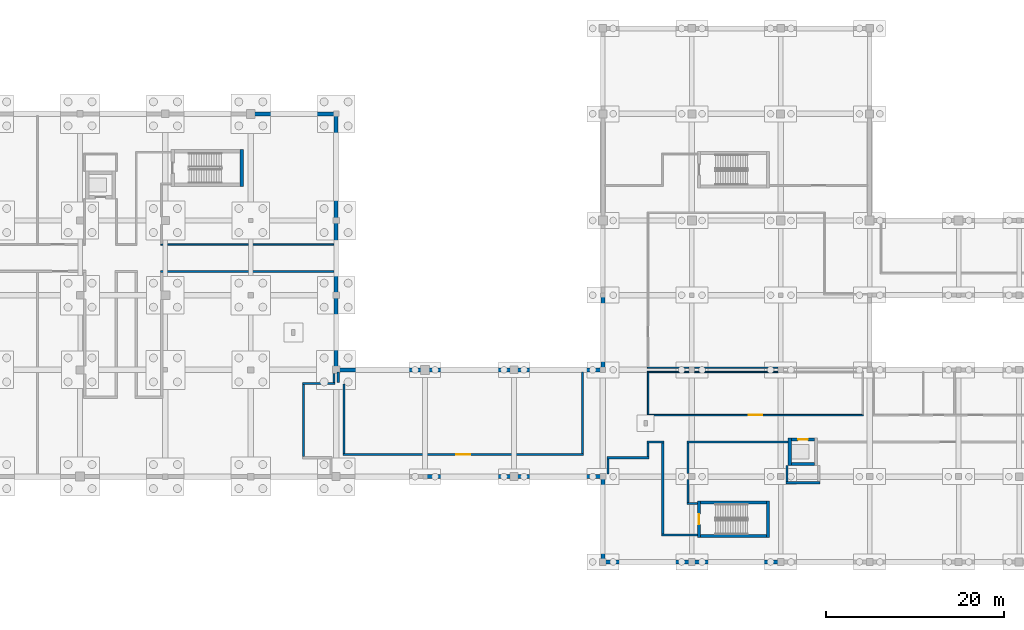
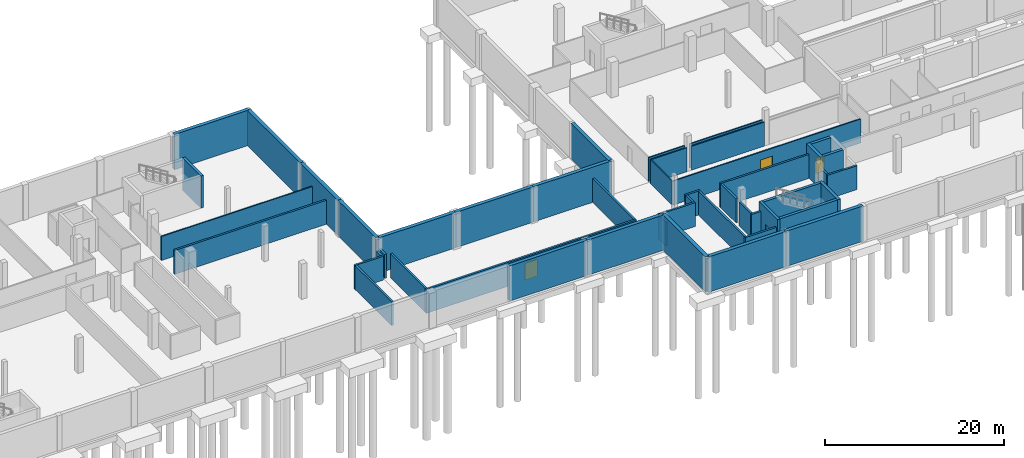
# One storey, part 15 of 28: 48 walls, 4 doors, 4 openings.
"""IFC4 building model written with IfcOpenShell, lengths in metres."""

from ifc_helpers import new_model, si_unit, direction, frame, frame_2d, origin, place, context, subcontext, project, spatial, rectangle, extrude, material, layer, layer_set, type_object, element, fill, save


model = new_model("IFC4")

# Units and contexts
model_context = context("Model", 3, precision=1e-05, world=origin(), true_north=direction((0.0, 1.0)))
body_context = subcontext(model_context, "Body", "Model", "MODEL_VIEW")
ifc_project = project(units=[si_unit("LENGTHUNIT", "METRE"), si_unit("AREAUNIT", "SQUARE_METRE"), si_unit("VOLUMEUNIT", "CUBIC_METRE"), si_unit("PLANEANGLEUNIT", "RADIAN"), si_unit("MASSUNIT", "GRAM", prefix="KILO")], contexts=[model_context])

# Site, building, storey
site_placement = place(None, origin())
site = spatial("IfcSite", under=ifc_project, at=site_placement, CompositionType="ELEMENT")
building_placement = place(site_placement, origin())
building = spatial("IfcBuilding", under=site, at=building_placement, Name="Zereglee Splitstone Museum", CompositionType="ELEMENT")
storey_placement = place(building_placement, frame((0.0, 0.0, -4.800048828125)))
storey = spatial("IfcBuildingStorey", under=building, at=storey_placement, Name="B1", CompositionType="ELEMENT", Elevation=-4.800048828125)

# Walls
ifc_material_1 = material(Name="Concrete C40/50", Category="concrete")
ifc_layer_1 = layer(ifc_material_1, 0.449951171875)
ifc_layer_set_1 = layer_set([ifc_layer_1], Name="Concrete C40/50")
wall_type_1 = type_object("IfcWallType", Name="ESW-01", PredefinedType="SHEAR", material=ifc_layer_set_1)
for number, where, z_axis, x_axis, name in (
    (1, (175.199951171875, 0.0, 0.0), (0.0, 0.0, 1.0), (1.0, 0.0, 0.0), "Basement Perimeter Retaining Wall B1-001"),
    (2, (185.199951171875, 0.0, 0.0), (0.0, 0.0, 1.0), (1.0, 0.0, 0.0), "Basement Perimeter Retaining Wall B1-002"),
):
    element("IfcWall", number, at=place(storey_placement, frame(where, z_axis=z_axis, x_axis=x_axis)), inside=storey, type_object=wall_type_1, Name=name, PredefinedType="SHEAR", context=body_context, shape_type="SweptSolid", body=[
        extrude(rectangle(XDim=10.0, YDim=0.449951171875, at=frame_2d((5.0, 0.0))), origin(), (0.0, 0.0, 1.0), 4.800048828125),
    ])
wall_1_placement = place(storey_placement, frame((175.199951171875, 30.0, 0.0), z_axis=(0.0, 0.0, 1.0), x_axis=(0.0, -1.0, 0.0)))
element("IfcWall", 3, at=wall_1_placement, inside=storey, type_object=wall_type_1, Name="Basement Perimeter Retaining Wall B1-058", PredefinedType="SHEAR", context=body_context, shape_type="SweptSolid", body=[
    extrude(rectangle(XDim=8.39990234375, YDim=0.449951171875, at=frame_2d((4.199951171875, 0.0))), origin(), (0.0, 0.0, 1.0), 4.800048828125),
])
for number, where, z_axis, x_axis, name in (
    (4, (175.199951171875, 21.60009765625, 0.0), (0.0, 0.0, 1.0), (-1.0, 0.0, 0.0), "Basement Perimeter Retaining Wall B1-059"),
    (5, (165.199951171875, 21.60009765625, 0.0), (0.0, 0.0, 1.0), (-1.0, 0.0, 0.0), "Basement Perimeter Retaining Wall B1-060"),
    (6, (155.199951171875, 21.60009765625, 0.0), (0.0, 0.0, 1.0), (-1.0, 0.0, 0.0), "Basement Perimeter Retaining Wall B1-061"),
):
    element("IfcWall", number, at=place(storey_placement, frame(where, z_axis=z_axis, x_axis=x_axis)), inside=storey, type_object=wall_type_1, Name=name, PredefinedType="SHEAR", context=body_context, shape_type="SweptSolid", body=[
        extrude(rectangle(XDim=10.0, YDim=0.449951171875, at=frame_2d((5.0, 0.0))), origin(), (0.0, 0.0, 1.0), 4.800048828125),
    ])
for number, where, z_axis, x_axis, name in (
    (7, (145.199951171875, 21.60009765625, 0.0), (0.0, 0.0, 1.0), (0.0, 1.0, 0.0), "Basement Perimeter Retaining Wall B1-062"),
    (8, (145.199951171875, 30.0, 0.0), (0.0, 0.0, 1.0), (0.0, 1.0, 0.0), "Basement Perimeter Retaining Wall B1-063"),
):
    element("IfcWall", number, at=place(storey_placement, frame(where, z_axis=z_axis, x_axis=x_axis)), inside=storey, type_object=wall_type_1, Name=name, PredefinedType="SHEAR", context=body_context, shape_type="SweptSolid", body=[
        extrude(rectangle(XDim=8.39990234375, YDim=0.449951171875, at=frame_2d((4.199951171875, 0.0))), origin(), (0.0, 0.0, 1.0), 4.800048828125),
    ])
wall_2_placement = place(storey_placement, frame((145.199951171875, 38.39990234375, 0.0), z_axis=(0.0, 0.0, 1.0), x_axis=(0.0, 1.0, 0.0)))
element("IfcWall", 9, at=wall_2_placement, inside=storey, type_object=wall_type_1, Name="Basement Perimeter Retaining Wall B1-064", PredefinedType="SHEAR", context=body_context, shape_type="SweptSolid", body=[
    extrude(rectangle(XDim=12.0, YDim=0.449951171875, at=frame_2d((6.0, 0.0))), origin(), (0.0, 0.0, 1.0), 4.800048828125),
])
wall_3_placement = place(storey_placement, frame((145.199951171875, 50.39990234375, 0.0), z_axis=(0.0, 0.0, 1.0), x_axis=(-1.0, 0.0, 0.0)))
element("IfcWall", 10, at=wall_3_placement, inside=storey, type_object=wall_type_1, Name="Basement Perimeter Retaining Wall B1-065", PredefinedType="SHEAR", context=body_context, shape_type="SweptSolid", body=[
    extrude(rectangle(XDim=9.599853515625, YDim=0.449951171875, at=frame_2d((4.7998046875, 0.0))), origin(), (0.0, 0.0, 1.0), 4.800048828125),
])
for number, where, z_axis, x_axis, name in (
    (11, (155.199951171875, 9.60009765625, 0.0), (0.0, 0.0, 1.0), (1.0, 0.0, 0.0), "Basement Perimeter Retaining Wall B1-106"),
    (12, (165.199951171875, 9.60009765625, 0.0), (0.0, 0.0, 1.0), (1.0, 0.0, 0.0), "Basement Perimeter Retaining Wall B1-107"),
):
    element("IfcWall", number, at=place(storey_placement, frame(where, z_axis=z_axis, x_axis=x_axis)), inside=storey, type_object=wall_type_1, Name=name, PredefinedType="SHEAR", context=body_context, shape_type="SweptSolid", body=[
        extrude(rectangle(XDim=10.0, YDim=0.449951171875, at=frame_2d((5.0, 0.0))), origin(), (0.0, 0.0, 1.0), 4.800048828125),
    ])
wall_4_placement = place(storey_placement, frame((175.199951171875, 9.60009765625, 0.0), z_axis=(0.0, 0.0, 1.0), x_axis=(0.0, -1.0, 0.0)))
element("IfcWall", 13, at=wall_4_placement, inside=storey, type_object=wall_type_1, Name="Basement Perimeter Retaining Wall B1-108", PredefinedType="SHEAR", context=body_context, shape_type="SweptSolid", body=[
    extrude(rectangle(XDim=9.60009765625, YDim=0.449951171875, at=frame_2d((4.800048828125, 0.0))), origin(), (0.0, 0.0, 1.0), 4.800048828125),
])
ifc_material_2 = material(Name="Concrete C45/55", Category="concrete")
ifc_layer_2 = layer(ifc_material_2, 0.360107421875)
ifc_layer_set_2 = layer_set([ifc_layer_2], Name="Concrete C45/55")
wall_type_2 = type_object("IfcWallType", Name="CSW-02", PredefinedType="SHEAR", material=ifc_layer_set_2)
wall_5_placement = place(storey_placement, frame((134.580078125, 42.239990234375, 0.0), z_axis=(0.0, 0.0, 1.0), x_axis=(0.0, 1.0, 0.0)))
element("IfcWall", 14, at=wall_5_placement, inside=storey, type_object=wall_type_2, Name="Stair Core Shear Wall ST-03 B1 East", PredefinedType="SHEAR", context=body_context, shape_type="SweptSolid", body=[
    extrude(rectangle(XDim=4.1201171875, YDim=0.360107421875, at=frame_2d((2.06005859375, 0.0))), origin(), (0.0, 0.0, 1.0), 4.380126953125),
])

# Wall, opening, door
wall_6_placement = place(storey_placement, frame((186.02001953125, 2.739990234375, 0.0), z_axis=(0.0, 0.0, 1.0), x_axis=(0.0, 1.0, 0.0)))
wall_6 = element("IfcWall", 15, at=wall_6_placement, inside=storey, type_object=wall_type_2, Name="Stair Core Shear Wall ST-04 B1 West", PredefinedType="SHEAR", context=body_context, shape_type="SweptSolid", body=[
    extrude(rectangle(XDim=4.1201171875, YDim=0.360107421875, at=frame_2d((2.06005859375, 0.0))), origin(), (0.0, 0.0, 1.0), 4.380126953125),
])
opening_1_placement = place(wall_6_placement, frame((1.485107421875, 0.0, 0.0)))
opening_1 = element("IfcOpeningElement", 16, at=opening_1_placement, cuts=wall_6, Name="Opening ID-03", PredefinedType="OPENING", context=body_context, shape_type="SweptSolid", body=[
    extrude(rectangle(XDim=1.14990234375, YDim=2.14990234375, at=frame_2d((0.574951171875, 1.074951171875))), frame((0.0, 0.19482421875, 0.0), z_axis=(0.0, -1.0, 0.0), x_axis=(1.0, 0.0, 0.0)), (0.0, 0.0, 1.0), 0.389892578125),
])
ifc_material_3 = material(Name="Fire-rated steel and Siberian larch leaf", Category="steel")
door_type_1 = type_object("IfcDoorType", Name="ID-03", OperationType="NOTDEFINED", PredefinedType="DOOR", material=ifc_material_3)
door_1_placement = place(opening_1_placement, origin())
door_1 = element("IfcDoor", 17, at=door_1_placement, inside=storey, type_object=door_type_1, Name="Protected Stair Fire Door ST-04 B1", OperationType="SINGLE_SWING_LEFT", OverallHeight=2.14990234375, OverallWidth=1.14990234375, PredefinedType="DOOR", context=body_context, shape_type="SweptSolid", body=[
    extrude(rectangle(XDim=1.14990234375, YDim=2.14990234375, at=frame_2d((0.574951171875, 1.074951171875))), frame((0.0, 0.02490234375, 0.0), z_axis=(0.0, -1.0, 0.0), x_axis=(1.0, 0.0, 0.0)), (0.0, 0.0, 1.0), 0.050048828125),
])
fill(opening_1, door_1)

# Walls
wall_7_placement = place(storey_placement, frame((193.780029296875, 2.739990234375, 0.0), z_axis=(0.0, 0.0, 1.0), x_axis=(0.0, 1.0, 0.0)))
element("IfcWall", 18, at=wall_7_placement, inside=storey, type_object=wall_type_2, Name="Stair Core Shear Wall ST-04 B1 East", PredefinedType="SHEAR", context=body_context, shape_type="SweptSolid", body=[
    extrude(rectangle(XDim=4.1201171875, YDim=0.360107421875, at=frame_2d((2.06005859375, 0.0))), origin(), (0.0, 0.0, 1.0), 4.380126953125),
])
for number, where, z_axis, x_axis, name in (
    (19, (186.199951171875, 6.679931640625, 0.0), (0.0, 0.0, 1.0), (1.0, 0.0, 0.0), "Stair Core Shear Wall ST-04 B1 North"),
    (20, (186.199951171875, 2.919921875, 0.0), (0.0, 0.0, 1.0), (1.0, 0.0, 0.0), "Stair Core Shear Wall ST-04 B1 South"),
):
    element("IfcWall", number, at=place(storey_placement, frame(where, z_axis=z_axis, x_axis=x_axis)), inside=storey, type_object=wall_type_2, Name=name, PredefinedType="SHEAR", context=body_context, shape_type="SweptSolid", body=[
        extrude(rectangle(XDim=7.400146484375, YDim=0.360107421875, at=frame_2d((3.7001953125, 0.0))), origin(), (0.0, 0.0, 1.0), 4.380126953125),
    ])

# Wall, opening, door
wall_8_placement = place(storey_placement, frame((196.39990234375, 13.780029296875, 0.0), z_axis=(0.0, 0.0, 1.0), x_axis=(1.0, 0.0, 0.0)))
wall_8 = element("IfcWall", 21, at=wall_8_placement, inside=storey, type_object=wall_type_2, Name="Lift Shaft Wall PL-03 B1 North", PredefinedType="SHEAR", context=body_context, shape_type="SweptSolid", body=[
    extrude(rectangle(XDim=2.60009765625, YDim=0.360107421875, at=frame_2d((1.300048828125, 0.0))), origin(), (0.0, 0.0, 1.0), 4.380126953125),
])
opening_2_placement = place(wall_8_placement, frame((0.75, 0.0, 0.0)))
opening_2 = element("IfcOpeningElement", 22, at=opening_2_placement, cuts=wall_8, Name="Opening LD-01", PredefinedType="OPENING", context=body_context, shape_type="SweptSolid", body=[
    extrude(rectangle(XDim=1.10009765625, YDim=2.14990234375, at=frame_2d((0.550048828125, 1.074951171875))), frame((0.0, 0.19482421875, 0.0), z_axis=(0.0, -1.0, 0.0), x_axis=(1.0, 0.0, 0.0)), (0.0, 0.0, 1.0), 0.389892578125),
])
door_type_2 = type_object("IfcDoorType", Name="LD-01", OperationType="DOUBLE_DOOR_SLIDING", PredefinedType="DOOR", material=ifc_material_3)
door_2_placement = place(opening_2_placement, origin())
door_2 = element("IfcDoor", 23, at=door_2_placement, inside=storey, type_object=door_type_2, Name="Lift Landing Sliding Door PL-03 B1", OperationType="DOUBLE_DOOR_SLIDING", OverallHeight=2.14990234375, OverallWidth=1.10009765625, PredefinedType="DOOR", context=body_context, shape_type="SweptSolid", body=[
    extrude(rectangle(XDim=1.10009765625, YDim=2.14990234375, at=frame_2d((0.550048828125, 1.074951171875))), frame((0.0, 0.02490234375, 0.0), z_axis=(0.0, -1.0, 0.0), x_axis=(1.0, 0.0, 0.0)), (0.0, 0.0, 1.0), 0.050048828125),
])
fill(opening_2, door_2)

# Walls
wall_9_placement = place(storey_placement, frame((196.39990234375, 11.02001953125, 0.0), z_axis=(0.0, 0.0, 1.0), x_axis=(1.0, 0.0, 0.0)))
element("IfcWall", 24, at=wall_9_placement, inside=storey, type_object=wall_type_2, Name="Lift Shaft Wall PL-03 B1 South", PredefinedType="SHEAR", context=body_context, shape_type="SweptSolid", body=[
    extrude(rectangle(XDim=2.60009765625, YDim=0.360107421875, at=frame_2d((1.300048828125, 0.0))), origin(), (0.0, 0.0, 1.0), 4.380126953125),
])
wall_10_placement = place(storey_placement, frame((196.219970703125, 10.840087890625, 0.0), z_axis=(0.0, 0.0, 1.0), x_axis=(0.0, 1.0, 0.0)))
element("IfcWall", 25, at=wall_10_placement, inside=storey, type_object=wall_type_2, Name="Lift Shaft Wall PL-03 B1 West", PredefinedType="SHEAR", context=body_context, shape_type="SweptSolid", body=[
    extrude(rectangle(XDim=3.119873046875, YDim=0.360107421875, at=frame_2d((1.56005859375, 0.0))), origin(), (0.0, 0.0, 1.0), 4.380126953125),
])
ifc_layer_3 = layer(ifc_material_1, 0.25)
ifc_layer_set_3 = layer_set([ifc_layer_3], Name="Concrete C40/50")
wall_type_3 = type_object("IfcWallType", Name="IW-03", PredefinedType="PARTITIONING", material=ifc_layer_set_3)
wall_11_placement = place(storey_placement, frame((181.794921875, 3.02001953125, 0.0), z_axis=(0.0, 0.0, 1.0), x_axis=(1.0, 0.0, 0.0)))
element("IfcWall", 26, at=wall_11_placement, inside=storey, type_object=wall_type_3, Name="Interior Partition B1-0002 (Botanical Herbarium Collection Archive)", PredefinedType="PARTITIONING", context=body_context, shape_type="SweptSolid", body=[
    extrude(rectangle(XDim=4.045166015625, YDim=0.25, at=frame_2d((2.0224609375, 0.0))), origin(), (0.0, 0.0, 1.0), 3.260009765625),
])
wall_12_placement = place(storey_placement, frame((184.655029296875, 6.580078125, 0.0), z_axis=(0.0, 0.0, 1.0), x_axis=(1.0, 0.0, 0.0)))
element("IfcWall", 27, at=wall_12_placement, inside=storey, type_object=wall_type_3, Name="Interior Partition B1-0004 (Botanical Herbarium Collection Archive)", PredefinedType="PARTITIONING", context=body_context, shape_type="SweptSolid", body=[
    extrude(rectangle(XDim=1.18505859375, YDim=0.25, at=frame_2d((0.592529296875, 0.0))), origin(), (0.0, 0.0, 1.0), 3.260009765625),
])
wall_13_placement = place(storey_placement, frame((195.794921875, 8.919921875, 0.0), z_axis=(0.0, 0.0, 1.0), x_axis=(1.0, 0.0, 0.0)))
element("IfcWall", 28, at=wall_13_placement, inside=storey, type_object=wall_type_3, Name="Interior Partition B1-0007 (Botanical Herbarium Collection Archive)", PredefinedType="PARTITIONING", context=body_context, shape_type="SweptSolid", body=[
    extrude(rectangle(XDim=3.81005859375, YDim=0.25, at=frame_2d((1.905029296875, 0.0))), origin(), (0.0, 0.0, 1.0), 3.260009765625),
])
wall_14_placement = place(storey_placement, frame((175.655029296875, 11.719970703125, 0.0), z_axis=(0.0, 0.0, 1.0), x_axis=(1.0, 0.0, 0.0)))
element("IfcWall", 29, at=wall_14_placement, inside=storey, type_object=wall_type_3, Name="Interior Partition B1-0009 (Botanical Herbarium Collection Archive)", PredefinedType="PARTITIONING", context=body_context, shape_type="SweptSolid", body=[
    extrude(rectangle(XDim=4.75, YDim=0.25, at=frame_2d((2.375, 0.0))), origin(), (0.0, 0.0, 1.0), 3.260009765625),
])

# Wall, opening, door
wall_15_placement = place(storey_placement, frame((145.955078125, 12.080078125, 0.0), z_axis=(0.0, 0.0, 1.0), x_axis=(1.0, 0.0, 0.0)))
wall_15 = element("IfcWall", 30, at=wall_15_placement, inside=storey, type_object=wall_type_3, Name="Interior Partition B1-0010 (Archive Crate Acclimatisation Room)", PredefinedType="PARTITIONING", context=body_context, shape_type="SweptSolid", body=[
    extrude(rectangle(XDim=27.08984375, YDim=0.25, at=frame_2d((13.544921875, 0.0))), origin(), (0.0, 0.0, 1.0), 3.260009765625),
])
opening_3_placement = place(wall_15_placement, frame((12.7451171875, 0.0, 0.0)))
opening_3 = element("IfcOpeningElement", 31, at=opening_3_placement, cuts=wall_15, Name="Opening ID-05", PredefinedType="OPENING", context=body_context, shape_type="SweptSolid", body=[
    extrude(rectangle(XDim=1.60009765625, YDim=2.300048828125, at=frame_2d((0.800048828125, 1.14990234375))), frame((0.0, 0.139892578125, 0.0), z_axis=(0.0, -1.0, 0.0), x_axis=(1.0, 0.0, 0.0)), (0.0, 0.0, 1.0), 0.27978515625),
])
door_type_3 = type_object("IfcDoorType", Name="ID-05", OperationType="NOTDEFINED", PredefinedType="DOOR", material=ifc_material_3)
door_3_placement = place(opening_3_placement, origin())
door_3 = element("IfcDoor", 32, at=door_3_placement, inside=storey, type_object=door_type_3, Name="Interior Door B1-0011 (Archive Crate Acclimatisation Room)", OperationType="DOUBLE_DOOR_SINGLE_SWING", OverallHeight=2.300048828125, OverallWidth=1.60009765625, PredefinedType="DOOR", context=body_context, shape_type="SweptSolid", body=[
    extrude(rectangle(XDim=1.60009765625, YDim=2.300048828125, at=frame_2d((0.800048828125, 1.14990234375))), frame((0.0, 0.02490234375, 0.0), z_axis=(0.0, -1.0, 0.0), x_axis=(1.0, 0.0, 0.0)), (0.0, 0.0, 1.0), 0.050048828125),
])
fill(opening_3, door_3)

# Walls
wall_16_placement = place(storey_placement, frame((180.155029296875, 13.47998046875, 0.0), z_axis=(0.0, 0.0, 1.0), x_axis=(1.0, 0.0, 0.0)))
element("IfcWall", 33, at=wall_16_placement, inside=storey, type_object=wall_type_3, Name="Interior Partition B1-0012 (Botanical Herbarium Collection Archive)", PredefinedType="PARTITIONING", context=body_context, shape_type="SweptSolid", body=[
    extrude(rectangle(XDim=1.889892578125, YDim=0.25, at=frame_2d((0.94482421875, 0.0))), origin(), (0.0, 0.0, 1.0), 3.260009765625),
])
wall_17_placement = place(storey_placement, frame((184.655029296875, 13.47998046875, 0.0), z_axis=(0.0, 0.0, 1.0), x_axis=(1.0, 0.0, 0.0)))
element("IfcWall", 34, at=wall_17_placement, inside=storey, type_object=wall_type_3, Name="Interior Partition B1-0013 (Botanical Herbarium Collection Archive)", PredefinedType="PARTITIONING", context=body_context, shape_type="SweptSolid", body=[
    extrude(rectangle(XDim=11.385009765625, YDim=0.25, at=frame_2d((5.6923828125, 0.0))), origin(), (0.0, 0.0, 1.0), 3.260009765625),
])
wall_18_placement = place(storey_placement, frame((141.39501953125, 20.080078125, 0.0), z_axis=(0.0, 0.0, 1.0), x_axis=(1.0, 0.0, 0.0)))
element("IfcWall", 35, at=wall_18_placement, inside=storey, type_object=wall_type_3, Name="Interior Partition B1-0032 (Microclimate Specimen Vault)", PredefinedType="PARTITIONING", context=body_context, shape_type="SweptSolid", body=[
    extrude(rectangle(XDim=3.68994140625, YDim=0.25, at=frame_2d((1.844970703125, 0.0))), origin(), (0.0, 0.0, 1.0), 3.260009765625),
])
wall_19_placement = place(storey_placement, frame((125.455078125, 32.679931640625, 0.0), z_axis=(0.0, 0.0, 1.0), x_axis=(1.0, 0.0, 0.0)))
element("IfcWall", 36, at=wall_19_placement, inside=storey, type_object=wall_type_3, Name="Interior Partition B1-0051 (Microclimate Specimen Vault)", PredefinedType="PARTITIONING", context=body_context, shape_type="SweptSolid", body=[
    extrude(rectangle(XDim=19.52001953125, YDim=0.25, at=frame_2d((9.760009765625, 0.0))), origin(), (0.0, 0.0, 1.0), 3.260009765625),
])
wall_20_placement = place(storey_placement, frame((141.52001953125, 11.844970703125, 0.0), z_axis=(0.0, 0.0, 1.0), x_axis=(0.0, 1.0, 0.0)))
element("IfcWall", 37, at=wall_20_placement, inside=storey, type_object=wall_type_3, Name="Interior Partition B1-0112 (Microclimate Specimen Vault)", PredefinedType="PARTITIONING", context=body_context, shape_type="SweptSolid", body=[
    extrude(rectangle(XDim=8.110107421875, YDim=0.25, at=frame_2d((4.05517578125, 0.0))), origin(), (0.0, 0.0, 1.0), 3.260009765625),
])
wall_21_placement = place(storey_placement, frame((144.9599609375, 20.205078125, 0.0), z_axis=(0.0, 0.0, 1.0), x_axis=(0.0, 1.0, 0.0)))
element("IfcWall", 38, at=wall_21_placement, inside=storey, type_object=wall_type_3, Name="Interior Partition B1-0114 (Microclimate Specimen Vault)", PredefinedType="PARTITIONING", context=body_context, shape_type="SweptSolid", body=[
    extrude(rectangle(XDim=0.969970703125, YDim=0.25, at=frame_2d((0.48486328125, 0.0))), origin(), (0.0, 0.0, 1.0), 3.260009765625),
])
wall_22_placement = place(storey_placement, frame((145.43994140625, 20.159912109375, 0.0), z_axis=(0.0, 0.0, 1.0), x_axis=(0.0, 1.0, 0.0)))
element("IfcWall", 39, at=wall_22_placement, inside=storey, type_object=wall_type_3, Name="Interior Partition B1-0115 (Archive Crate Acclimatisation Room)", PredefinedType="PARTITIONING", context=body_context, shape_type="SweptSolid", body=[
    extrude(rectangle(XDim=1.215087890625, YDim=0.25, at=frame_2d((0.607421875, 0.0))), origin(), (0.0, 0.0, 1.0), 3.260009765625),
])
wall_23_placement = place(storey_placement, frame((146.080078125, 12.205078125, 0.0), z_axis=(0.0, 0.0, 1.0), x_axis=(0.0, 1.0, 0.0)))
element("IfcWall", 40, at=wall_23_placement, inside=storey, type_object=wall_type_3, Name="Interior Partition B1-0116 (Archive Crate Acclimatisation Room)", PredefinedType="PARTITIONING", context=body_context, shape_type="SweptSolid", body=[
    extrude(rectangle(XDim=7.794921875, YDim=0.25, at=frame_2d((3.8974609375, 0.0))), origin(), (0.0, 0.0, 1.0), 3.260009765625),
])
wall_24_placement = place(storey_placement, frame((172.919921875, 12.205078125, 0.0), z_axis=(0.0, 0.0, 1.0), x_axis=(0.0, 1.0, 0.0)))
element("IfcWall", 41, at=wall_24_placement, inside=storey, type_object=wall_type_3, Name="Interior Partition B1-0117 (Archive Crate Acclimatisation Room)", PredefinedType="PARTITIONING", context=body_context, shape_type="SweptSolid", body=[
    extrude(rectangle(XDim=9.169921875, YDim=0.25, at=frame_2d((4.5849609375, 0.0))), origin(), (0.0, 0.0, 1.0), 3.260009765625),
])
wall_25_placement = place(storey_placement, frame((175.780029296875, 9.919921875, 0.0), z_axis=(0.0, 0.0, 1.0), x_axis=(0.0, 1.0, 0.0)))
element("IfcWall", 42, at=wall_25_placement, inside=storey, type_object=wall_type_3, Name="Interior Partition B1-0118 (Botanical Herbarium Collection Archive)", PredefinedType="PARTITIONING", context=body_context, shape_type="SweptSolid", body=[
    extrude(rectangle(XDim=1.675048828125, YDim=0.25, at=frame_2d((0.83740234375, 0.0))), origin(), (0.0, 0.0, 1.0), 3.260009765625),
])
wall_26_placement = place(storey_placement, frame((180.280029296875, 11.844970703125, 0.0), z_axis=(0.0, 0.0, 1.0), x_axis=(0.0, 1.0, 0.0)))
element("IfcWall", 43, at=wall_26_placement, inside=storey, type_object=wall_type_3, Name="Interior Partition B1-0119 (Botanical Herbarium Collection Archive)", PredefinedType="PARTITIONING", context=body_context, shape_type="SweptSolid", body=[
    extrude(rectangle(XDim=1.510009765625, YDim=0.25, at=frame_2d((0.7548828125, 0.0))), origin(), (0.0, 0.0, 1.0), 3.260009765625),
])
wall_27_placement = place(storey_placement, frame((181.919921875, 3.14501953125, 0.0), z_axis=(0.0, 0.0, 1.0), x_axis=(0.0, 1.0, 0.0)))
element("IfcWall", 44, at=wall_27_placement, inside=storey, type_object=wall_type_3, Name="Interior Partition B1-0122 (Botanical Herbarium Collection Archive)", PredefinedType="PARTITIONING", context=body_context, shape_type="SweptSolid", body=[
    extrude(rectangle(XDim=10.2099609375, YDim=0.25, at=frame_2d((5.10498046875, 0.0))), origin(), (0.0, 0.0, 1.0), 3.260009765625),
])
wall_28_placement = place(storey_placement, frame((184.780029296875, 6.705078125, 0.0), z_axis=(0.0, 0.0, 1.0), x_axis=(0.0, 1.0, 0.0)))
element("IfcWall", 45, at=wall_28_placement, inside=storey, type_object=wall_type_3, Name="Interior Partition B1-0124 (Botanical Herbarium Collection Archive)", PredefinedType="PARTITIONING", context=body_context, shape_type="SweptSolid", body=[
    extrude(rectangle(XDim=2.544921875, YDim=0.25, at=frame_2d((1.2724609375, 0.0))), origin(), (0.0, 0.0, 1.0), 3.260009765625),
])
wall_29_placement = place(storey_placement, frame((184.780029296875, 9.949951171875, 0.0), z_axis=(0.0, 0.0, 1.0), x_axis=(0.0, 1.0, 0.0)))
element("IfcWall", 46, at=wall_29_placement, inside=storey, type_object=wall_type_3, Name="Interior Partition B1-0125 (Botanical Herbarium Collection Archive)", PredefinedType="PARTITIONING", context=body_context, shape_type="SweptSolid", body=[
    extrude(rectangle(XDim=3.405029296875, YDim=0.25, at=frame_2d((1.70263671875, 0.0))), origin(), (0.0, 0.0, 1.0), 3.260009765625),
])
wall_30_placement = place(storey_placement, frame((195.919921875, 9.044921875, 0.0), z_axis=(0.0, 0.0, 1.0), x_axis=(0.0, 1.0, 0.0)))
element("IfcWall", 47, at=wall_30_placement, inside=storey, type_object=wall_type_3, Name="Interior Partition B1-0126 (Botanical Herbarium Collection Archive)", PredefinedType="PARTITIONING", context=body_context, shape_type="SweptSolid", body=[
    extrude(rectangle(XDim=1.795166015625, YDim=0.25, at=frame_2d((0.8974609375, 0.0))), origin(), (0.0, 0.0, 1.0), 3.260009765625),
])

# Wall, opening, door
ifc_material_4 = material(Name="Fire-rated gypsum board partition", Category="masonry")
ifc_layer_4 = layer(ifc_material_4, 0.159912109375)
ifc_layer_set_4 = layer_set([ifc_layer_4], Name="Fire-rated gypsum board partition")
wall_type_4 = type_object("IfcWallType", Name="IW-04", PredefinedType="PARTITIONING", material=ifc_layer_set_4)
wall_31_placement = place(storey_placement, frame((180.199951171875, 16.52001953125, 0.0), z_axis=(0.0, 0.0, 1.0), x_axis=(1.0, 0.0, 0.0)))
wall_31 = element("IfcWall", 48, at=wall_31_placement, inside=storey, type_object=wall_type_4, Name="Interior Partition B1-0022 (Organic Artefact Conservation Laboratory)", PredefinedType="PARTITIONING", context=body_context, shape_type="SweptSolid", body=[
    extrude(rectangle(XDim=24.300048828125, YDim=0.159912109375, at=frame_2d((12.14990234375, 0.0))), origin(), (0.0, 0.0, 1.0), 3.260009765625),
])
opening_4_placement = place(wall_31_placement, frame((11.39990234375, 0.0, 0.0)))
opening_4 = element("IfcOpeningElement", 49, at=opening_4_placement, cuts=wall_31, Name="Opening ID-07", PredefinedType="OPENING", context=body_context, shape_type="SweptSolid", body=[
    extrude(rectangle(XDim=1.5, YDim=2.199951171875, at=frame_2d((0.75, 1.10009765625))), frame((0.0, 0.0947265625, 0.0), z_axis=(0.0, -1.0, 0.0), x_axis=(1.0, 0.0, 0.0)), (0.0, 0.0, 1.0), 0.189697265625),
])
door_type_4 = type_object("IfcDoorType", Name="ID-07", OperationType="NOTDEFINED", PredefinedType="DOOR", material=ifc_material_3)
door_4_placement = place(opening_4_placement, origin())
door_4 = element("IfcDoor", 50, at=door_4_placement, inside=storey, type_object=door_type_4, Name="Interior Door B1-0013 (Organic Artefact Conservation Laboratory)", OperationType="DOUBLE_DOOR_SINGLE_SWING", OverallHeight=2.199951171875, OverallWidth=1.5, PredefinedType="DOOR", context=body_context, shape_type="SweptSolid", body=[
    extrude(rectangle(XDim=1.5, YDim=2.199951171875, at=frame_2d((0.75, 1.10009765625))), frame((0.0, 0.02490234375, 0.0), z_axis=(0.0, -1.0, 0.0), x_axis=(1.0, 0.0, 0.0)), (0.0, 0.0, 1.0), 0.050048828125),
])
fill(opening_4, door_4)

# Walls
wall_32_placement = place(storey_placement, frame((180.199951171875, 21.360107421875, 0.0), z_axis=(0.0, 0.0, 1.0), x_axis=(1.0, 0.0, 0.0)))
element("IfcWall", 51, at=wall_32_placement, inside=storey, type_object=wall_type_4, Name="Interior Partition B1-0034 (Organic Artefact Conservation Laboratory)", PredefinedType="PARTITIONING", context=body_context, shape_type="SweptSolid", body=[
    extrude(rectangle(XDim=4.699951171875, YDim=0.159912109375, at=frame_2d((2.35009765625, 0.0))), origin(), (0.0, 0.0, 1.0), 3.260009765625),
])
wall_33_placement = place(storey_placement, frame((185.5, 21.360107421875, 0.0), z_axis=(0.0, 0.0, 1.0), x_axis=(1.0, 0.0, 0.0)))
element("IfcWall", 52, at=wall_33_placement, inside=storey, type_object=wall_type_4, Name="Interior Partition B1-0035 (Organic Artefact Conservation Laboratory)", PredefinedType="PARTITIONING", context=body_context, shape_type="SweptSolid", body=[
    extrude(rectangle(XDim=9.39990234375, YDim=0.159912109375, at=frame_2d((4.699951171875, 0.0))), origin(), (0.0, 0.0, 1.0), 3.260009765625),
])
wall_34_placement = place(storey_placement, frame((125.5, 35.719970703125, 0.0), z_axis=(0.0, 0.0, 1.0), x_axis=(1.0, 0.0, 0.0)))
element("IfcWall", 53, at=wall_34_placement, inside=storey, type_object=wall_type_4, Name="Interior Partition B1-0057 (District Heating Substation Plant Room)", PredefinedType="PARTITIONING", context=body_context, shape_type="SweptSolid", body=[
    extrude(rectangle(XDim=19.47509765625, YDim=0.159912109375, at=frame_2d((9.737548828125, 0.0))), origin(), (0.0, 0.0, 1.0), 3.260009765625),
])
wall_35_placement = place(storey_placement, frame((180.280029296875, 16.60009765625, 0.0), z_axis=(0.0, 0.0, 1.0), x_axis=(0.0, 1.0, 0.0)))
element("IfcWall", 54, at=wall_35_placement, inside=storey, type_object=wall_type_4, Name="Interior Partition B1-0120 (Organic Artefact Conservation Laboratory)", PredefinedType="PARTITIONING", context=body_context, shape_type="SweptSolid", body=[
    extrude(rectangle(XDim=4.679931640625, YDim=0.159912109375, at=frame_2d((2.33984375, 0.0))), origin(), (0.0, 0.0, 1.0), 3.260009765625),
])
ifc_layer_5 = layer(ifc_material_4, 0.139892578125)
ifc_layer_set_5 = layer_set([ifc_layer_5], Name="Fire-rated gypsum board partition")
wall_type_5 = type_object("IfcWallType", Name="IW-05", PredefinedType="PARTITIONING", material=ifc_layer_set_5)
wall_36_placement = place(storey_placement, frame((180.2099609375, 21.840087890625, 0.0), z_axis=(0.0, 0.0, 1.0), x_axis=(1.0, 0.0, 0.0)))
element("IfcWall", 55, at=wall_36_placement, inside=storey, type_object=wall_type_5, Name="Interior Partition B1-0037 (Curatorial Specimen Study Room)", PredefinedType="PARTITIONING", context=body_context, shape_type="SweptSolid", body=[
    extrude(rectangle(XDim=4.68994140625, YDim=0.139892578125, at=frame_2d((2.344970703125, 0.0))), origin(), (0.0, 0.0, 1.0), 3.260009765625),
])
wall_37_placement = place(storey_placement, frame((185.5, 21.840087890625, 0.0), z_axis=(0.0, 0.0, 1.0), x_axis=(1.0, 0.0, 0.0)))
element("IfcWall", 56, at=wall_37_placement, inside=storey, type_object=wall_type_5, Name="Interior Partition B1-0038 (Curatorial Specimen Study Room)", PredefinedType="PARTITIONING", context=body_context, shape_type="SweptSolid", body=[
    extrude(rectangle(XDim=9.39990234375, YDim=0.139892578125, at=frame_2d((4.699951171875, 0.0))), origin(), (0.0, 0.0, 1.0), 3.260009765625),
])

save(model, "model.ifc")
